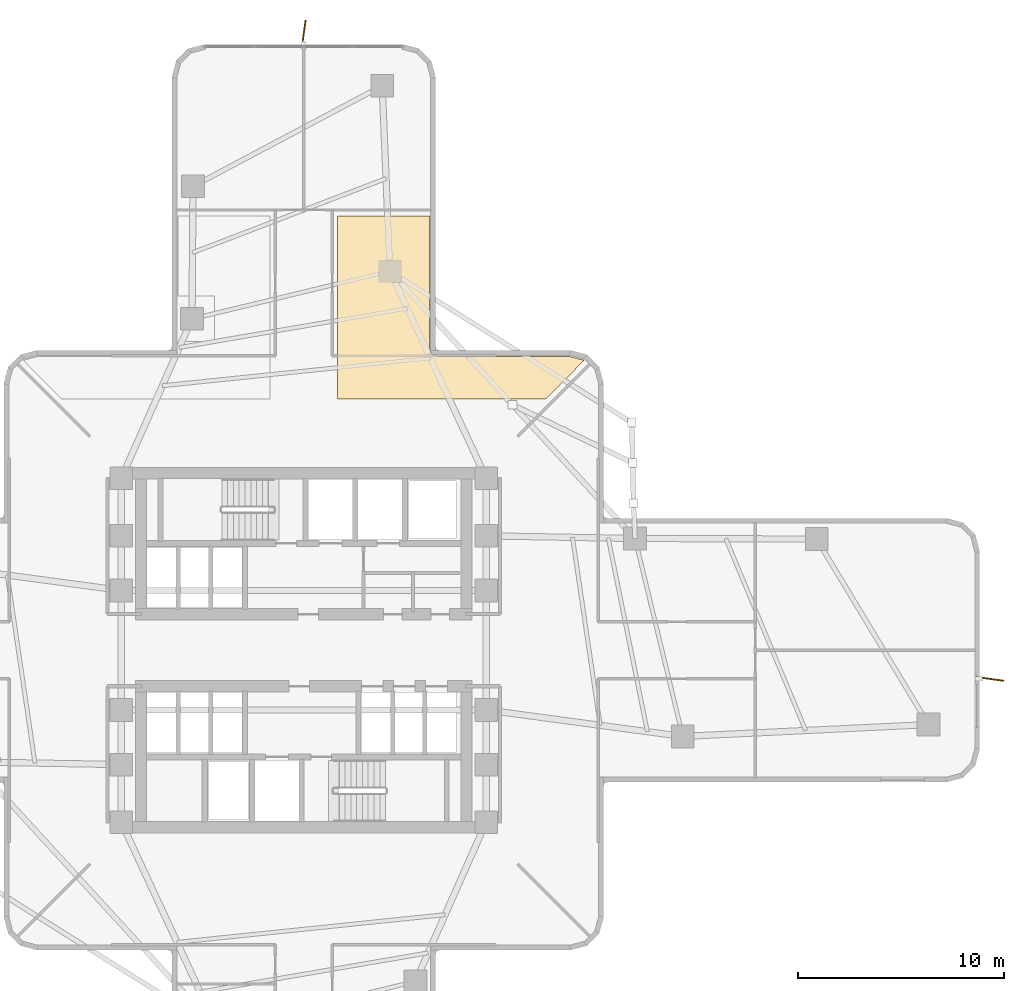
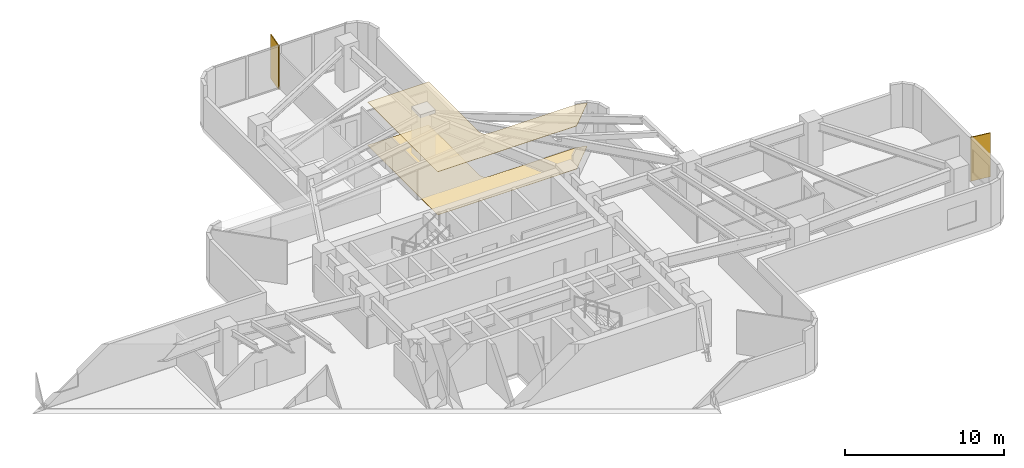
# One storey, part 14 of 14: 2 coverings, 2 shading devices.
"""IFC4 building model written with IfcOpenShell, lengths in metres."""

from ifc_helpers import new_model, si_unit, direction, frame, origin, origin_2d, place, context, subcontext, project, spatial, polyline, rectangle, outline, extrude, material, layer, layer_set, type_object, element, save


model = new_model("IFC4")

# Units and contexts
model_context = context("Model", 3, precision=1e-05, world=origin(), true_north=direction((0.0, 1.0)))
body_context = subcontext(model_context, "Body", "Model", "MODEL_VIEW")
ifc_project = project(units=[si_unit("LENGTHUNIT", "METRE"), si_unit("AREAUNIT", "SQUARE_METRE"), si_unit("VOLUMEUNIT", "CUBIC_METRE"), si_unit("PLANEANGLEUNIT", "RADIAN"), si_unit("MASSUNIT", "GRAM", prefix="KILO")], contexts=[model_context])

# Site, building, storey
site_placement = place(None, origin())
site = spatial("IfcSite", under=ifc_project, at=site_placement, CompositionType="ELEMENT")
building_placement = place(site_placement, origin())
building = spatial("IfcBuilding", under=site, at=building_placement, Name="Solmarez Civic Tower", CompositionType="ELEMENT")
storey_placement = place(building_placement, frame((0.0, 0.0, 31.679931640625)))
storey = spatial("IfcBuildingStorey", under=building, at=storey_placement, Name="L07", CompositionType="ELEMENT", Elevation=31.679931640625)

# Coverings
ifc_material_1 = material(Name="Perforated Mineral-Fibre Acoustic Ceiling")
ifc_layer_1 = layer(ifc_material_1, 0.02490234375)
ifc_layer_set_1 = layer_set([ifc_layer_1], Name="Perforated Mineral-Fibre Acoustic Ceiling")
covering_type_1 = type_object("IfcCoveringType", Name="COV-CEIL-ACOUSTIC", PredefinedType="CEILING", material=ifc_layer_set_1)
covering_1_placement = place(storey_placement, frame((0.0, 0.0, 3.315185546875)))
element("IfcCovering", 1, at=covering_1_placement, inside=storey, type_object=covering_type_1, Name="L07 Suspended Acoustic Ceiling 2", PredefinedType="CEILING", context=body_context, shape_type="SweptSolid", body=[
    extrude(outline(polyline([(1.639892578125, 12.199951171875), (11.758056640625, 12.199951171875), (13.60009765625, 14.06201171875), (13.594970703125, 14.06689453125), (12.909912109375, 14.25), (6.60400390625, 14.25), (6.572998046875, 14.251953125), (6.56591796875, 14.2529296875), (6.537109375, 14.259033203125), (6.531982421875, 14.260986328125), (6.367919921875, 14.303955078125), (6.3369140625, 14.31494140625), (6.330078125, 14.318115234375), (6.322998046875, 14.321044921875), (6.31591796875, 14.323974609375), (6.298095703125, 14.3330078125), (6.281005859375, 14.343017578125), (6.27490234375, 14.346923828125), (6.256103515625, 14.361083984375), (6.25, 14.365966796875), (6.235107421875, 14.37890625), (6.22900390625, 14.385009765625), (6.216064453125, 14.39990234375), (6.2109375, 14.406005859375), (6.197021484375, 14.425048828125), (6.193115234375, 14.430908203125), (6.18310546875, 14.447998046875), (6.174072265625, 14.466064453125), (6.1650390625, 14.487060546875), (6.154052734375, 14.51806640625), (6.111083984375, 14.681884765625), (6.10888671875, 14.68701171875), (6.10302734375, 14.716064453125), (6.10205078125, 14.722900390625), (6.10009765625, 14.75390625), (6.10009765625, 21.06005859375), (1.639892578125, 21.06005859375), (1.639892578125, 12.199951171875)])), origin(), (0.0, 0.0, 1.0), 0.02490234375),
])
ifc_material_2 = material(Name="Polished Tropical Stone Terrazzo Flooring", Category="masonry")
ifc_layer_2 = layer(ifc_material_2, 0.02001953125)
ifc_layer_set_2 = layer_set([ifc_layer_2], Name="Polished Tropical Stone Terrazzo Flooring")
covering_type_2 = type_object("IfcCoveringType", Name="COV-FLOOR-TERRAZZO", PredefinedType="FLOORING", material=ifc_layer_set_2)
covering_2_placement = place(storey_placement, origin())
element("IfcCovering", 2, at=covering_2_placement, inside=storey, type_object=covering_type_2, Name="L07 Terrazzo Floor Finish 2", PredefinedType="FLOORING", context=body_context, shape_type="SweptSolid", body=[
    extrude(outline(polyline([(1.639892578125, 12.199951171875), (11.758056640625, 12.199951171875), (13.60009765625, 14.06201171875), (13.594970703125, 14.06689453125), (12.909912109375, 14.25), (6.60400390625, 14.25), (6.572998046875, 14.251953125), (6.56591796875, 14.2529296875), (6.537109375, 14.259033203125), (6.531982421875, 14.260986328125), (6.367919921875, 14.303955078125), (6.3369140625, 14.31494140625), (6.330078125, 14.318115234375), (6.322998046875, 14.321044921875), (6.31591796875, 14.323974609375), (6.298095703125, 14.3330078125), (6.281005859375, 14.343017578125), (6.27490234375, 14.346923828125), (6.256103515625, 14.361083984375), (6.25, 14.365966796875), (6.235107421875, 14.37890625), (6.22900390625, 14.385009765625), (6.216064453125, 14.39990234375), (6.2109375, 14.406005859375), (6.197021484375, 14.425048828125), (6.193115234375, 14.430908203125), (6.18310546875, 14.447998046875), (6.174072265625, 14.466064453125), (6.1650390625, 14.487060546875), (6.154052734375, 14.51806640625), (6.111083984375, 14.681884765625), (6.10888671875, 14.68701171875), (6.10302734375, 14.716064453125), (6.10205078125, 14.722900390625), (6.10009765625, 14.75390625), (6.10009765625, 21.06005859375), (1.639892578125, 21.06005859375), (1.639892578125, 12.199951171875)])), origin(), (0.0, 0.0, 1.0), 0.02001953125),
])

# Shading devices
ifc_material_3 = material(Name="Bronze Anodised Aluminium EN AW-6063 T6", Category="aluminium")
ifc_layer_3 = layer(ifc_material_3, 0.06494140625)
ifc_layer_set_3 = layer_set([ifc_layer_3], Name="Bronze Anodised Aluminium EN AW-6063 T6")
shading_device_type = type_object("IfcShadingDeviceType", Name="FIN-BRONZE-Z12", PredefinedType="USERDEFINED", material=ifc_layer_set_3)
for number, where, z_axis, x_axis, name in (
    (3, (0.0, 29.905029296875, -0.039794921875), (0.0, 0.0, 1.0), (0.137980443087, 0.990434953607, 0.0), "L07 Anodised Bronze Solar Fin FIN-L07-03"),
    (4, (33.304931640625, -1.39306640625, -0.039794921875), (0.0, 0.0, 1.0), (0.990434953607, -0.137980443087, 0.0), "L07 Anodised Bronze Solar Fin FIN-L07-04"),
):
    element("IfcShadingDevice", number, at=place(storey_placement, frame(where, z_axis=z_axis, x_axis=x_axis)), inside=storey, type_object=shading_device_type, Name=name, ObjectType="FIN", PredefinedType="USERDEFINED", context=body_context, shape_type="SweptSolid", body=[
        extrude(rectangle(XDim=1.35009765625, YDim=0.06494140625, at=origin_2d()), origin(), (0.0, 0.0, 1.0), 3.3798828125),
    ])

save(model, "model.ifc")
